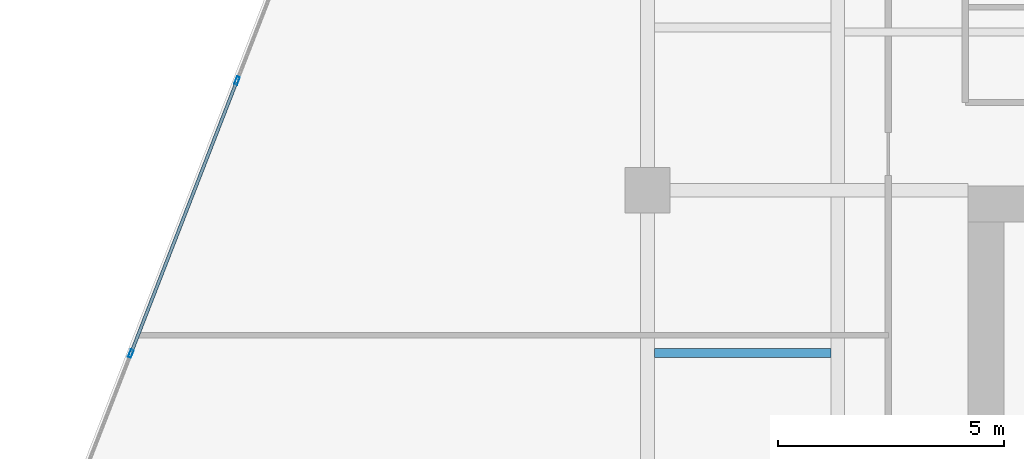
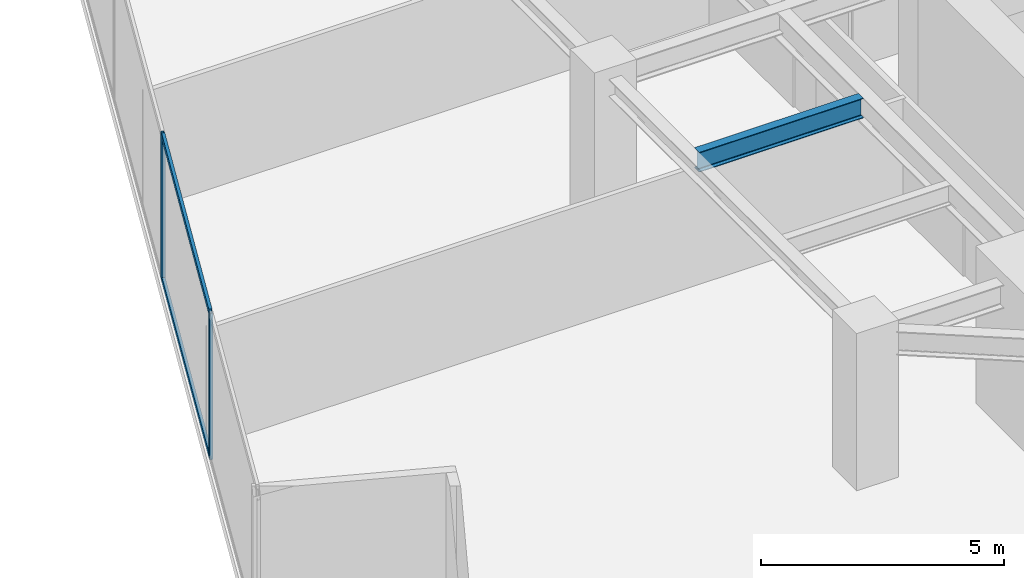
# One storey, part 7 of 26: 4 members, 1 beam, 1 element without a shape of its own.
"""IFC4 building model written with IfcOpenShell, lengths in metres."""

from ifc_helpers import new_model, si_unit, direction, frame, origin, origin_2d, place, context, subcontext, project, spatial, hollow_rectangle, i_section, extrude, source, transform, mapped, material, material_profile, profile_set, type_object, type_shapes, element, aggregate, save


model = new_model("IFC4")

# Units and contexts
model_context = context("Model", 3, precision=1e-05, world=origin(), true_north=direction((0.0, 1.0)))
body_context = subcontext(model_context, "Body", "Model", "MODEL_VIEW")
ifc_project = project(units=[si_unit("LENGTHUNIT", "METRE"), si_unit("AREAUNIT", "SQUARE_METRE"), si_unit("VOLUMEUNIT", "CUBIC_METRE"), si_unit("PLANEANGLEUNIT", "RADIAN"), si_unit("MASSUNIT", "GRAM", prefix="KILO")], contexts=[model_context])

# Site, building, storey
site_placement = place(None, origin())
site = spatial("IfcSite", under=ifc_project, at=site_placement, CompositionType="ELEMENT")
building_placement = place(site_placement, origin())
building = spatial("IfcBuilding", under=site, at=building_placement, Name="Krantzveldt Concourse Tower", CompositionType="ELEMENT")
storey_placement = place(building_placement, frame((0.0, 0.0, 133.5)))
storey = spatial("IfcBuildingStorey", under=building, at=storey_placement, Name="L32", CompositionType="ELEMENT", Elevation=133.5)

# Beam
ifc_material_1 = material(Name="Steel S355JR", Category="steel")
ifc_material_profile_1 = material_profile(ifc_material_1, i_section(OverallWidth=0.199951171875, OverallDepth=0.5, WebThickness=0.01025390625, FlangeThickness=0.01611328125, FilletRadius=0.02099609375, at=origin_2d()), Name="Steel S355JR", Category="steel")
ifc_profile_set_1 = profile_set([ifc_material_profile_1], Name="Steel S355JR - IPE 500")
beam_type = type_object("IfcBeamType", Name="BM-J-IPE500", PredefinedType="JOIST", material=ifc_profile_set_1)
shared_shape_1 = source(origin(), body_context, "Body", "SweptSolid", [
    extrude(i_section(OverallWidth=0.199951171875, OverallDepth=0.5, WebThickness=0.01025390625, FlangeThickness=0.01611328125, FilletRadius=0.02099609375, at=origin_2d()), origin(), (0.0, 0.0, 1.0), 3.900146484375),
])
type_shapes(beam_type, [shared_shape_1])
beam_placement = place(storey_placement, frame((21.14990234375, 23.10009765625, 3.419921875), z_axis=(1.0, 0.0, 0.0), x_axis=(0.0, 1.0, 0.0)))
element("IfcBeam", 1, at=beam_placement, inside=storey, type_object=beam_type, Name="L32 Secondary Floor Joist JW-2", PredefinedType="JOIST", context=body_context, shape_type="MappedRepresentation", body=[
    mapped(shared_shape_1, transform((0.0, 0.0, 0.0), x_axis=(1.0, 0.0, 0.0), y_axis=(0.0, 1.0, 0.0), z_axis=(0.0, 0.0, 1.0), scale=1.0)),
])

# Curtain wall, members
ifc_material_2 = material(Name="Anodised aluminium 6063-T6", Category="aluminium")
curtain_wall_type = type_object("IfcCurtainWallType", Name="CW2", PredefinedType="USERDEFINED", material=ifc_material_2)
curtain_wall_placement = place(storey_placement, origin())
curtain_wall = element("IfcCurtainWall", 2, at=curtain_wall_placement, inside=storey, type_object=curtain_wall_type, Name="CW-L32-F01", ObjectType="UNITISED CURTAIN WALL", PredefinedType="USERDEFINED")
ifc_material_profile_2 = material_profile(ifc_material_2, hollow_rectangle(XDim=0.070068359375, YDim=0.179931640625, WallThickness=0.0048828125, at=origin_2d()), Name="Anodised aluminium 6063-T6", Category="aluminium")
ifc_profile_set_2 = profile_set([ifc_material_profile_2], Name="Anodised aluminium 6063-T6 - ALU-MULL 180x70x5")
member_type_1 = type_object("IfcMemberType", Name="CW-MUL-180", PredefinedType="MULLION", material=ifc_profile_set_2)
shared_shape_2 = source(origin(), body_context, "Body", "SweptSolid", [
    extrude(hollow_rectangle(XDim=0.070068359375, YDim=0.179931640625, WallThickness=0.0048828125, at=origin_2d()), origin(), (0.0, 0.0, 1.0), 3.669921875),
])
type_shapes(member_type_1, [shared_shape_2])
member_1_placement = place(storey_placement, frame((11.93115234375, 29.121337890625, 0.0), z_axis=(0.0, 0.0, 1.0), x_axis=(0.93200790248, -0.362437952917, 0.0)))
member_1 = element("IfcMember", 3, at=member_1_placement, type_object=member_type_1, Name="CW-Z12 mullion 5", PredefinedType="MULLION", context=body_context, shape_type="MappedRepresentation", body=[
    mapped(shared_shape_2, transform((0.0, 0.0, 0.0), x_axis=(1.0, 0.0, 0.0), y_axis=(0.0, 1.0, 0.0), z_axis=(0.0, 0.0, 1.0), scale=1.0)),
])
member_2_placement = place(storey_placement, frame((9.58740234375, 23.094482421875, 0.0), z_axis=(0.0, 0.0, 1.0), x_axis=(0.93200790248, -0.362437952917, 0.0)))
member_2 = element("IfcMember", 4, at=member_2_placement, type_object=member_type_1, Name="CW-Z12 mullion 6", PredefinedType="MULLION", context=body_context, shape_type="MappedRepresentation", body=[
    mapped(shared_shape_2, transform((0.0, 0.0, 0.0), x_axis=(1.0, 0.0, 0.0), y_axis=(0.0, 1.0, 0.0), z_axis=(0.0, 0.0, 1.0), scale=1.0)),
])
ifc_material_profile_3 = material_profile(ifc_material_2, hollow_rectangle(XDim=0.070068359375, YDim=0.139892578125, WallThickness=0.0048828125, at=origin_2d()), Name="Anodised aluminium 6063-T6", Category="aluminium")
ifc_profile_set_3 = profile_set([ifc_material_profile_3], Name="Anodised aluminium 6063-T6 - ALU-TRAN 140x70x5")
member_type_2 = type_object("IfcMemberType", Name="CW-TRN-150", PredefinedType="USERDEFINED", material=ifc_profile_set_3)
shared_shape_3 = source(origin(), body_context, "Body", "SweptSolid", [
    extrude(hollow_rectangle(XDim=0.070068359375, YDim=0.139892578125, WallThickness=0.0048828125, at=origin_2d()), origin(), (0.0, 0.0, 1.0), 6.396484375),
])
type_shapes(member_type_2, [shared_shape_3])
member_3_placement = place(storey_placement, frame((11.91845703125, 29.0888671875, 0.034912109375), z_axis=(-0.36243705186, -0.932008252882, 0.0), x_axis=(0.932008252882, -0.36243705186, 0.0)))
member_3 = element("IfcMember", 5, at=member_3_placement, type_object=member_type_2, Name="CW-Z12 transom 5.1", ObjectType="TRANSOM", PredefinedType="USERDEFINED", context=body_context, shape_type="MappedRepresentation", body=[
    mapped(shared_shape_3, transform((0.0, 0.0, 0.0), x_axis=(1.0, 0.0, 0.0), y_axis=(0.0, 1.0, 0.0), z_axis=(0.0, 0.0, 1.0), scale=1.0)),
])
member_4_placement = place(storey_placement, frame((11.91845703125, 29.0888671875, 3.635009765625), z_axis=(-0.36243705186, -0.932008252882, 0.0), x_axis=(0.932008252882, -0.36243705186, 0.0)))
member_4 = element("IfcMember", 6, at=member_4_placement, type_object=member_type_2, Name="CW-Z12 transom 5.2", ObjectType="TRANSOM", PredefinedType="USERDEFINED", context=body_context, shape_type="MappedRepresentation", body=[
    mapped(shared_shape_3, transform((0.0, 0.0, 0.0), x_axis=(1.0, 0.0, 0.0), y_axis=(0.0, 1.0, 0.0), z_axis=(0.0, 0.0, 1.0), scale=1.0)),
])
aggregate(curtain_wall, [member_1, member_2, member_3, member_4])

save(model, "model.ifc")
